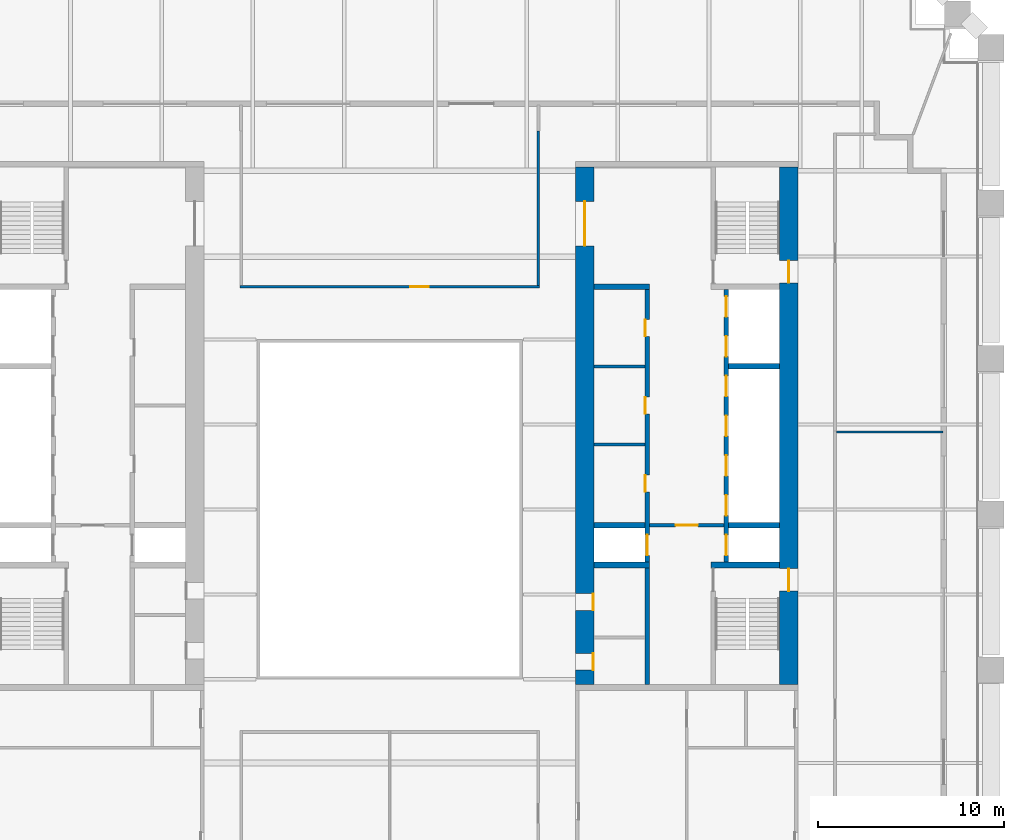
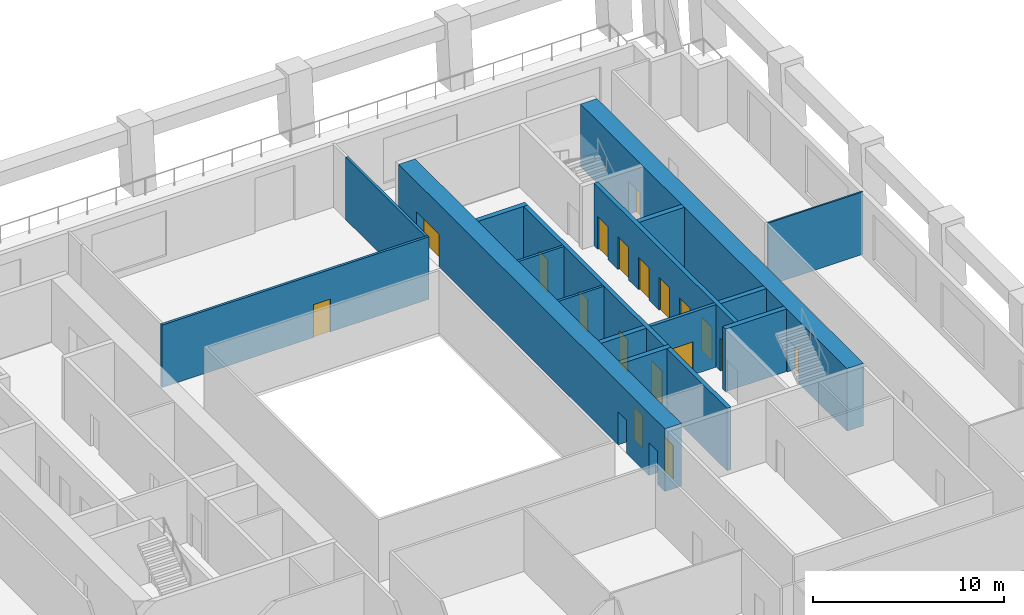
# One storey, part 6 of 8: 18 doors, 16 walls, 18 openings.
"""IFC4 building model written with IfcOpenShell, lengths in metres."""

import ifcopenshell
import ifcopenshell.guid

model = None  # the IFC model being written
_history = None  # IfcOwnerHistory: only IFC2X3 demands one
_inside = {}  # id of a spatial element -> (the spatial element, [elements in it])
_under = {}  # id of a project, library or spatial element -> (it, [spatial elements below it])
_declared = {}  # id of a project -> (the project, [libraries it declares])
_typed = {}  # id of a type object -> (the type object, [elements of that type])
_made_of = {}  # id of a material, layer set ... -> (it, [elements and type objects made of it])


def new_model(schema):
    """Start an empty IFC model of exactly this schema.

    Asked for "IFC4X3", IfcOpenShell would pick the latest addendum, in which some entities
    have other attributes; the version numbers below select the first issue.
    IFC2X3 requires an IfcOwnerHistory on every rooted entity: one is made here for all.
    """
    global model, _history
    if schema == "IFC4X3":
        model = ifcopenshell.file(schema_version=(4, 3, 0, 0))
    else:
        model = ifcopenshell.file(schema=schema)
    _inside.clear()
    _under.clear()
    _declared.clear()
    _typed.clear()
    _made_of.clear()
    _history = None
    if model.schema == "IFC2X3":
        org = make("IfcOrganization", Name="unknown")
        user = make(
            "IfcPersonAndOrganization",
            ThePerson=make("IfcPerson", FamilyName="unknown"),
            TheOrganization=org,
        )
        app = make(
            "IfcApplication",
            ApplicationDeveloper=org,
            Version="unknown",
            ApplicationFullName="unknown",
            ApplicationIdentifier="unknown",
        )
        _history = make(
            "IfcOwnerHistory",
            OwningUser=user,
            OwningApplication=app,
            ChangeAction="ADDED",
            CreationDate=0,
        )
    return model


def make(cls, **values):
    """One entity of the class cls with the attributes given. An attribute that is None is left unset."""
    return model.create_entity(
        cls, **{name: value for name, value in values.items() if value is not None}
    )


def rooted(cls, **values):
    """An entity with a GlobalId (a new one), such as an element, a storey or a relation."""
    return make(cls, GlobalId=ifcopenshell.guid.new(), OwnerHistory=_history, **values)


def si_unit(unit_type, name, prefix=None):
    """IfcSIUnit, for example si_unit("LENGTHUNIT", "METRE", prefix="MILLI")."""
    return make("IfcSIUnit", UnitType=unit_type, Prefix=prefix, Name=name)


def assignment(units):
    """IfcUnitAssignment: the units of a project."""
    return None if units is None else make("IfcUnitAssignment", Units=units)


def point(xyz):
    """IfcCartesianPoint."""
    return None if xyz is None else make("IfcCartesianPoint", Coordinates=xyz)


def direction(xyz):
    """IfcDirection."""
    return None if xyz is None else make("IfcDirection", DirectionRatios=xyz)


def frame(location, z_axis=None, x_axis=None):
    """IfcAxis2Placement3D, a coordinate frame: its origin and axes. An axis left out is left unset."""
    return make(
        "IfcAxis2Placement3D",
        Location=point(location),
        Axis=direction(z_axis),
        RefDirection=direction(x_axis),
    )


def frame_2d(location, x_axis=None):
    """IfcAxis2Placement2D, a coordinate frame in the plane: its origin and x axis."""
    return make(
        "IfcAxis2Placement2D", Location=point(location), RefDirection=direction(x_axis)
    )


def origin():
    """The frame at (0, 0, 0) with its axes left unset."""
    return frame((0.0, 0.0, 0.0))


def place(relative_to, where):
    """IfcLocalPlacement: puts the frame where relative to a parent placement (None: the world)."""
    return make(
        "IfcLocalPlacement", PlacementRelTo=relative_to, RelativePlacement=where
    )


def context(
    kind, dimensions, precision=None, world=None, true_north=None, identifier=None
):
    """IfcGeometricRepresentationContext, for example the 3D "Model" context."""
    return make(
        "IfcGeometricRepresentationContext",
        ContextIdentifier=identifier,
        ContextType=kind,
        CoordinateSpaceDimension=dimensions,
        Precision=precision,
        WorldCoordinateSystem=world,
        TrueNorth=true_north,
    )


def subcontext(parent, identifier, kind, view, scale=None):
    """IfcGeometricRepresentationSubContext, for example "Body" below "Model"."""
    return make(
        "IfcGeometricRepresentationSubContext",
        ContextIdentifier=identifier,
        ContextType=kind,
        ParentContext=parent,
        TargetScale=scale,
        TargetView=view,
    )


def project(units=None, contexts=None):
    """IfcProject with its units and contexts."""
    return rooted(
        "IfcProject",
        Name="project",
        RepresentationContexts=contexts,
        UnitsInContext=assignment(units),
    )


def spatial(cls, under=None, at=None, **own):
    """A site, building, storey or space (cls), placed at a placement, below another one or the project."""
    s = rooted(cls, ObjectPlacement=at, **own)
    if under is not None:
        _under.setdefault(under.id(), (under, []))[1].append(s)
    return s


def profile(cls, at=None, kind="AREA", **sizes):
    """A parametric profile (cls). Its sizes go by their IFC names, for example OverallWidth=200.0."""
    return make(cls, ProfileType=kind, Position=at, **sizes)


def rectangle(**sizes):
    """IfcRectangleProfileDef."""
    return profile("IfcRectangleProfileDef", **sizes)


def extrude(swept, where, along, depth):
    """IfcExtrudedAreaSolid: the profile swept, set in the frame where, extruded along a direction by depth."""
    return make(
        "IfcExtrudedAreaSolid",
        SweptArea=swept,
        Position=where,
        ExtrudedDirection=direction(along),
        Depth=depth,
    )


def shape(context_of_items, identifier, shape_type, items):
    """IfcShapeRepresentation: the items that make up one representation, for example the "Body"."""
    return make(
        "IfcShapeRepresentation",
        ContextOfItems=context_of_items,
        RepresentationIdentifier=identifier,
        RepresentationType=shape_type,
        Items=items,
    )


def material(Name=None, Category=None):
    """IfcMaterial."""
    return make("IfcMaterial", Name=Name, Category=Category)


def layer(
    of_material, thickness, ventilated=None, Name=None, Category=None, Priority=None
):
    """IfcMaterialLayer: one layer of a wall or slab, of a material (None: an air gap)."""
    return make(
        "IfcMaterialLayer",
        Material=of_material,
        LayerThickness=thickness,
        IsVentilated=ventilated,
        Name=Name,
        Category=Category,
        Priority=Priority,
    )


def layer_set(layers, Name=None):
    """IfcMaterialLayerSet."""
    return make("IfcMaterialLayerSet", MaterialLayers=layers, LayerSetName=Name)


def made_of(thing, what):
    """Note that an element or type object is made of a material, layer set ...; save() writes the relation."""
    if what is not None:
        _made_of.setdefault(what.id(), (what, []))[1].append(thing)
    return thing


def type_object(cls, material=None, **own):
    """A type object (cls), such as IfcWallType, which elements share."""
    return made_of(rooted(cls, **own), material)


def element(
    cls,
    number,
    at=None,
    inside=None,
    cuts=None,
    type_object=None,
    material=None,
    context=None,
    identifier="Body",
    shape_type=None,
    held_by="IfcProductDefinitionShape",
    body=None,
    shapes=None,
    **own,
):
    """One element of the class cls, such as IfcWall. Its Tag is "e" and its number.

    at: its placement. inside: the storey or other place that contains it. cuts: it is an
    opening in that element (IfcRelVoidsElement). A single representation is given by context,
    identifier, shape_type and body (its items); several are given by shapes. held_by: the class
    of the entity that holds the representations. save() writes the other relations.
    """
    e = rooted(cls, Tag="e%d" % number, ObjectPlacement=at, **own)
    if body is not None:
        shapes = [shape(context, identifier, shape_type, body)]
    if shapes is not None:
        e.Representation = make(held_by, Representations=shapes)
    if inside is not None:
        _inside.setdefault(inside.id(), (inside, []))[1].append(e)
    if cuts is not None:
        rooted(
            "IfcRelVoidsElement", RelatingBuildingElement=cuts, RelatedOpeningElement=e
        )
    if type_object is not None:
        _typed.setdefault(type_object.id(), (type_object, []))[1].append(e)
    return made_of(e, material)


def fill(opening, filler):
    """IfcRelFillsElement: the door or window that sits in an opening."""
    return rooted(
        "IfcRelFillsElement",
        RelatingOpeningElement=opening,
        RelatedBuildingElement=filler,
    )


def aggregate(whole, parts):
    """IfcRelAggregates: a whole, such as a stair, and the parts it consists of."""
    return rooted("IfcRelAggregates", RelatingObject=whole, RelatedObjects=parts)


def save(model, path):
    """Write the relations noted so far, then the file.

    IfcRelAggregates (storeys below a building ...), IfcRelContainedInSpatialStructure (elements
    in a storey), IfcRelDefinesByType, IfcRelAssociatesMaterial and IfcRelDeclares: one each for
    every whole, place, type object, material and project.
    """
    for whole, parts in _under.values():
        aggregate(whole, parts)
    for where, things in _inside.values():
        rooted(
            "IfcRelContainedInSpatialStructure",
            RelatedElements=things,
            RelatingStructure=where,
        )
    for kind, things in _typed.values():
        rooted("IfcRelDefinesByType", RelatedObjects=things, RelatingType=kind)
    for what, things in _made_of.values():
        rooted("IfcRelAssociatesMaterial", RelatedObjects=things, RelatingMaterial=what)
    for by, libraries in _declared.values():
        rooted("IfcRelDeclares", RelatingContext=by, RelatedDefinitions=libraries)
    model.write(path)


model = new_model("IFC4")

# Units and contexts
model_context = context("Model", 3, precision=1e-05, world=origin(), true_north=direction((0.0, 1.0)))
body_context = subcontext(model_context, "Body", "Model", "MODEL_VIEW")
ifc_project = project(units=[si_unit("LENGTHUNIT", "METRE"), si_unit("AREAUNIT", "SQUARE_METRE"), si_unit("VOLUMEUNIT", "CUBIC_METRE"), si_unit("PLANEANGLEUNIT", "RADIAN"), si_unit("MASSUNIT", "GRAM", prefix="KILO")], contexts=[model_context])

# Site, building, storey
site_placement = place(None, origin())
site = spatial("IfcSite", under=ifc_project, at=site_placement, CompositionType="ELEMENT")
building_placement = place(site_placement, origin())
building = spatial("IfcBuilding", under=site, at=building_placement, Name="Ogive Exchange Tower", CompositionType="ELEMENT")
storey_placement = place(building_placement, frame((0.0, 0.0, 77.39990234375)))
storey = spatial("IfcBuildingStorey", under=building, at=storey_placement, Name="L16", CompositionType="ELEMENT", Elevation=77.39990234375)

# Walls
ifc_material_1 = material(Name="Gypsum board partition")
ifc_layer_1 = layer(ifc_material_1, 0.14990234375)
ifc_layer_set_1 = layer_set([ifc_layer_1], Name="Core room partition 150 gypsum")
wall_type_1 = type_object("IfcWallType", Name="Core room partition 150 gypsum", PredefinedType="PARTITIONING", material=ifc_layer_set_1)
for number, where, z_axis, x_axis, name in (
    (1, (11.0, 10.5, 0.0), (0.0, 0.0, 1.0), (1.0, 0.0, 0.0), "E row B bay partition 1-1"),
    (2, (11.0, 14.699951171875, 0.0), (0.0, 0.0, 1.0), (1.0, 0.0, 0.0), "E row B bay partition 1-2"),
):
    element("IfcWall", number, at=place(storey_placement, frame(where, z_axis=z_axis, x_axis=x_axis)), inside=storey, type_object=wall_type_1, Name=name, PredefinedType="PARTITIONING", context=body_context, shape_type="SweptSolid", body=[
        extrude(rectangle(XDim=2.75, YDim=0.14990234375, at=frame_2d((1.375, 0.0))), origin(), (0.0, 0.0, 1.0), 4.0),
    ])
ifc_layer_2 = layer(ifc_material_1, 0.300048828125)
ifc_layer_set_2 = layer_set([ifc_layer_2], Name="Core room partition 300 gypsum")
wall_type_2 = type_object("IfcWallType", Name="Core room partition 300 gypsum", PredefinedType="PARTITIONING", material=ifc_layer_set_2)
wall_1_placement = place(storey_placement, frame((11.0, 19.0, 0.0), z_axis=(0.0, 0.0, 1.0), x_axis=(1.0, 0.0, 0.0)))
element("IfcWall", 3, at=wall_1_placement, inside=storey, type_object=wall_type_2, Name="E row B room end wall 7", PredefinedType="PARTITIONING", context=body_context, shape_type="SweptSolid", body=[
    extrude(rectangle(XDim=3.0, YDim=0.300048828125, at=frame_2d((1.5, 0.0))), origin(), (0.0, 0.0, 1.0), 4.0),
])

# Wall, opening, door
ifc_material_2 = material(Name="Fire partition EI 60 150")
ifc_layer_3 = layer(ifc_material_2, 0.14990234375)
ifc_layer_set_3 = layer_set([ifc_layer_3], Name="Fire partition EI 60 150")
wall_type_3 = type_object("IfcWallType", Name="Fire partition EI 60 150", PredefinedType="PARTITIONING", material=ifc_layer_set_3)
wall_2_placement = place(storey_placement, frame((-8.074951171875, 19.0, 0.0), z_axis=(0.0, 0.0, 1.0), x_axis=(1.0, 0.0, 0.0)))
wall_2 = element("IfcWall", 4, at=wall_2_placement, inside=storey, type_object=wall_type_3, Name="L16-PWL-013", PredefinedType="PARTITIONING", context=body_context, shape_type="SweptSolid", body=[
    extrude(rectangle(XDim=16.14990234375, YDim=0.14990234375, at=frame_2d((8.074951171875, 0.0))), origin(), (0.0, 0.0, 1.0), 4.0),
])
opening_1_placement = place(wall_2_placement, frame((9.175048828125, 0.0, 0.0)))
opening_1 = element("IfcOpeningElement", 5, at=opening_1_placement, cuts=wall_2, Name="Opening L16-I09", PredefinedType="OPENING", context=body_context, shape_type="SweptSolid", body=[
    extrude(rectangle(XDim=1.0, YDim=2.10009765625, at=frame_2d((0.5, 1.050048828125))), frame((0.0, 0.0849609375, 0.0), z_axis=(0.0, -1.0, 0.0), x_axis=(1.0, 0.0, 0.0)), (0.0, 0.0, 1.0), 0.169921875),
])
ifc_material_3 = material(Name="Fire door FD 30S 1000 x 2100")
door_type_1 = type_object("IfcDoorType", Name="Fire door FD 30S 1000 x 2100", OperationType="NOTDEFINED", PredefinedType="DOOR", material=ifc_material_3)
door_1_placement = place(opening_1_placement, origin())
door_1 = element("IfcDoor", 6, at=door_1_placement, inside=storey, type_object=door_type_1, Name="L16-IDR-009", ObjectType="DT3", OperationType="SINGLE_SWING_RIGHT", OverallHeight=2.10009765625, OverallWidth=1.0, PredefinedType="DOOR", context=body_context, shape_type="SweptSolid", body=[
    extrude(rectangle(XDim=1.0, YDim=2.10009765625, at=frame_2d((0.5, 1.050048828125))), frame((0.0, 0.02490234375, 0.0), z_axis=(0.0, -1.0, 0.0), x_axis=(1.0, 0.0, 0.0)), (0.0, 0.0, 1.0), 0.050048828125),
])
fill(opening_1, door_1)

# Walls
wall_3_placement = place(storey_placement, frame((8.0, 19.074951171875, 0.0), z_axis=(0.0, 0.0, 1.0), x_axis=(0.0, 1.0, 0.0)))
element("IfcWall", 7, at=wall_3_placement, inside=storey, type_object=wall_type_3, Name="L16-PWL-024", PredefinedType="PARTITIONING", context=body_context, shape_type="SweptSolid", body=[
    extrude(rectangle(XDim=8.324951171875, YDim=0.14990234375, at=frame_2d((4.16259765625, 0.0))), origin(), (0.0, 0.0, 1.0), 4.0),
])
ifc_material_4 = material(Name="Partition 100 gypsum")
ifc_layer_4 = layer(ifc_material_4, 0.10009765625)
ifc_layer_set_4 = layer_set([ifc_layer_4], Name="Partition 100 gypsum")
wall_type_4 = type_object("IfcWallType", Name="Partition 100 gypsum", PredefinedType="PARTITIONING", material=ifc_layer_set_4)
wall_4_placement = place(storey_placement, frame((24.074951171875, 11.169921875, 0.0), z_axis=(0.0, 0.0, 1.0), x_axis=(1.0, 0.0, 0.0)))
element("IfcWall", 8, at=wall_4_placement, inside=storey, type_object=wall_type_4, Name="L16-PWL-034", PredefinedType="PARTITIONING", context=body_context, shape_type="SweptSolid", body=[
    extrude(rectangle(XDim=5.72509765625, YDim=0.10009765625, at=frame_2d((2.862548828125, 0.0))), origin(), (0.0, 0.0, 1.0), 4.0),
])

# Wall, openings, doors
ifc_material_5 = material(Name="Concrete C70/85", Category="concrete")
ifc_layer_5 = layer(ifc_material_5, 1.0)
ifc_layer_set_5 = layer_set([ifc_layer_5], Name="RC core wall 1000 C70/85")
wall_type_5 = type_object("IfcWallType", Name="RC core wall 1000 C70/85", PredefinedType="SHEAR", material=ifc_layer_set_5)
wall_5_placement = place(storey_placement, frame((21.5, -2.449951171875, 0.0), z_axis=(0.0, 0.0, 1.0), x_axis=(0.0, 1.0, 0.0)))
wall_5 = element("IfcWall", 9, at=wall_5_placement, inside=storey, type_object=wall_type_5, Name="E outer wall", PredefinedType="SHEAR", context=body_context, shape_type="SweptSolid", body=[
    extrude(rectangle(XDim=27.89990234375, YDim=1.0, at=frame_2d((13.949951171875, 0.0))), origin(), (0.0, 0.0, 1.0), 4.0),
])
opening_2_placement = place(wall_5_placement, frame((5.050048828125, 0.0, 0.0)))
opening_2 = element("IfcOpeningElement", 10, at=opening_2_placement, cuts=wall_5, Name="Opening L16-C36", PredefinedType="OPENING", context=body_context, shape_type="SweptSolid", body=[
    extrude(rectangle(XDim=1.199951171875, YDim=2.10009765625, at=frame_2d((0.60009765625, 1.050048828125))), frame((0.0, 0.510009765625, 0.0), z_axis=(0.0, -1.0, 0.0), x_axis=(1.0, 0.0, 0.0)), (0.0, 0.0, 1.0), 1.02001953125),
])
opening_3_placement = place(wall_5_placement, frame((21.64990234375, 0.0, 0.0)))
opening_3 = element("IfcOpeningElement", 11, at=opening_3_placement, cuts=wall_5, Name="Opening L16-C38", PredefinedType="OPENING", context=body_context, shape_type="SweptSolid", body=[
    extrude(rectangle(XDim=1.199951171875, YDim=2.10009765625, at=frame_2d((0.60009765625, 1.050048828125))), frame((0.0, 0.510009765625, 0.0), z_axis=(0.0, -1.0, 0.0), x_axis=(1.0, 0.0, 0.0)), (0.0, 0.0, 1.0), 1.02001953125),
])
ifc_material_6 = material(Name="Steel fire door", Category="steel")
door_type_2 = type_object("IfcDoorType", Name="Stair door FD90 1200 x 2100", OperationType="NOTDEFINED", PredefinedType="DOOR", material=ifc_material_6)
door_2_placement = place(opening_2_placement, origin())
door_2 = element("IfcDoor", 12, at=door_2_placement, inside=storey, type_object=door_type_2, Name="Stair door", ObjectType="CD5", OperationType="SINGLE_SWING_LEFT", OverallHeight=2.10009765625, OverallWidth=1.199951171875, PredefinedType="DOOR", context=body_context, shape_type="SweptSolid", body=[
    extrude(rectangle(XDim=1.199951171875, YDim=2.10009765625, at=frame_2d((0.60009765625, 1.050048828125))), frame((0.0, 0.02490234375, 0.0), z_axis=(0.0, -1.0, 0.0), x_axis=(1.0, 0.0, 0.0)), (0.0, 0.0, 1.0), 0.050048828125),
])
fill(opening_2, door_2)
door_3_placement = place(opening_3_placement, origin())
door_3 = element("IfcDoor", 13, at=door_3_placement, inside=storey, type_object=door_type_2, Name="Stair door", ObjectType="CD5", OperationType="SINGLE_SWING_RIGHT", OverallHeight=2.10009765625, OverallWidth=1.199951171875, PredefinedType="DOOR", context=body_context, shape_type="SweptSolid", body=[
    extrude(rectangle(XDim=1.199951171875, YDim=2.10009765625, at=frame_2d((0.60009765625, 1.050048828125))), frame((0.0, 0.02490234375, 0.0), z_axis=(0.0, -1.0, 0.0), x_axis=(1.0, 0.0, 0.0)), (0.0, 0.0, 1.0), 0.050048828125),
])
fill(opening_3, door_3)

wall_6_placement = place(storey_placement, frame((10.5, -2.449951171875, 0.0), z_axis=(0.0, 0.0, 1.0), x_axis=(0.0, 1.0, 0.0)))
wall_6 = element("IfcWall", 14, at=wall_6_placement, inside=storey, type_object=wall_type_5, Name="E inner wall", PredefinedType="SHEAR", context=body_context, shape_type="SweptSolid", body=[
    extrude(rectangle(XDim=27.89990234375, YDim=1.0, at=frame_2d((13.949951171875, 0.0))), origin(), (0.0, 0.0, 1.0), 4.0),
])
opening_4_placement = place(wall_6_placement, frame((23.64990234375, 0.0, 0.0)))
opening_4 = element("IfcOpeningElement", 15, at=opening_4_placement, cuts=wall_6, Name="Opening L16-C34", PredefinedType="OPENING", context=body_context, shape_type="SweptSolid", body=[
    extrude(rectangle(XDim=2.39990234375, YDim=2.10009765625, at=frame_2d((1.199951171875, 1.050048828125))), frame((0.0, 0.510009765625, 0.0), z_axis=(0.0, -1.0, 0.0), x_axis=(1.0, 0.0, 0.0)), (0.0, 0.0, 1.0), 1.02001953125),
])
opening_5_placement = place(wall_6_placement, frame((0.78759765625, 0.0, 0.0)))
opening_5 = element("IfcOpeningElement", 16, at=opening_5_placement, cuts=wall_6, Name="Opening L16-C39", PredefinedType="OPENING", context=body_context, shape_type="SweptSolid", body=[
    extrude(rectangle(XDim=0.89990234375, YDim=2.10009765625, at=frame_2d((0.449951171875, 1.050048828125))), frame((0.0, 0.510009765625, 0.0), z_axis=(0.0, -1.0, 0.0), x_axis=(1.0, 0.0, 0.0)), (0.0, 0.0, 1.0), 1.02001953125),
])
opening_6_placement = place(wall_6_placement, frame((4.012451171875, 0.0, 0.0)))
opening_6 = element("IfcOpeningElement", 17, at=opening_6_placement, cuts=wall_6, Name="Opening L16-C40", PredefinedType="OPENING", context=body_context, shape_type="SweptSolid", body=[
    extrude(rectangle(XDim=0.89990234375, YDim=2.10009765625, at=frame_2d((0.449951171875, 1.050048828125))), frame((0.0, 0.510009765625, 0.0), z_axis=(0.0, -1.0, 0.0), x_axis=(1.0, 0.0, 0.0)), (0.0, 0.0, 1.0), 1.02001953125),
])
ifc_material_7 = material(Name="Timber fire door", Category="wood")
door_type_3 = type_object("IfcDoorType", Name="Core room door FD30S 900 x 2100", OperationType="NOTDEFINED", PredefinedType="DOOR", material=ifc_material_7)
door_4_placement = place(opening_5_placement, frame((0.89990234375, -0.9501953125, 0.0), z_axis=(0.0, 0.0, 1.0), x_axis=(-1.0, 0.0, 0.0)))
door_4 = element("IfcDoor", 18, at=door_4_placement, inside=storey, type_object=door_type_3, Name="Core room door", ObjectType="CD6", OperationType="SINGLE_SWING_RIGHT", OverallHeight=2.10009765625, OverallWidth=0.89990234375, PredefinedType="DOOR", context=body_context, shape_type="SweptSolid", body=[
    extrude(rectangle(XDim=0.89990234375, YDim=2.10009765625, at=frame_2d((0.449951171875, 1.050048828125))), frame((0.0, -0.4501953125, 0.0), z_axis=(0.0, -1.0, 0.0), x_axis=(1.0, 0.0, 0.0)), (0.0, 0.0, 1.0), 0.050048828125),
])
fill(opening_5, door_4)
ifc_material_8 = material(Name="Glazed steel fire door", Category="steel")
door_type_4 = type_object("IfcDoorType", Name="Lift lobby double door FD60 2400 x 2100", OperationType="DOUBLE_DOOR_SINGLE_SWING", PredefinedType="DOOR", material=ifc_material_8)
door_5_placement = place(opening_4_placement, frame((2.39990234375, 0.0, 0.0), z_axis=(0.0, 0.0, 1.0), x_axis=(-1.0, 0.0, 0.0)))
door_5 = element("IfcDoor", 19, at=door_5_placement, inside=storey, type_object=door_type_4, Name="Lift lobby double door", ObjectType="CD4", OperationType="DOUBLE_DOOR_SINGLE_SWING", OverallHeight=2.10009765625, OverallWidth=2.39990234375, PredefinedType="DOOR", context=body_context, shape_type="SweptSolid", body=[
    extrude(rectangle(XDim=2.39990234375, YDim=2.10009765625, at=frame_2d((1.199951171875, 1.050048828125))), frame((0.0, 0.02490234375, 0.0), z_axis=(0.0, -1.0, 0.0), x_axis=(1.0, 0.0, 0.0)), (0.0, 0.0, 1.0), 0.050048828125),
])
fill(opening_4, door_5)
door_type_5 = type_object("IfcDoorType", Name="Riser door FD60 900 x 2100", OperationType="NOTDEFINED", PredefinedType="DOOR", material=ifc_material_6)
door_6_placement = place(opening_6_placement, frame((0.89990234375, -0.9501953125, 0.0), z_axis=(0.0, 0.0, 1.0), x_axis=(-1.0, 0.0, 0.0)))
door_6 = element("IfcDoor", 20, at=door_6_placement, inside=storey, type_object=door_type_5, Name="Riser door", ObjectType="CD2", OperationType="SINGLE_SWING_LEFT", OverallHeight=2.10009765625, OverallWidth=0.89990234375, PredefinedType="DOOR", context=body_context, shape_type="SweptSolid", body=[
    extrude(rectangle(XDim=0.89990234375, YDim=2.10009765625, at=frame_2d((0.449951171875, 1.050048828125))), frame((0.0, -0.4501953125, 0.0), z_axis=(0.0, -1.0, 0.0), x_axis=(1.0, 0.0, 0.0)), (0.0, 0.0, 1.0), 0.050048828125),
])
fill(opening_6, door_6)

# Wall, opening, door
ifc_layer_6 = layer(ifc_material_5, 0.199951171875)
ifc_layer_set_6 = layer_set([ifc_layer_6], Name="RC core wall 200 C70/85")
wall_type_6 = type_object("IfcWallType", Name="RC core wall 200 C70/85", PredefinedType="SHEAR", material=ifc_layer_set_6)
wall_7_placement = place(storey_placement, frame((14.0, 6.142822265625, 0.0), z_axis=(0.0, 0.0, 1.0), x_axis=(1.0, 0.0, 0.0)))
wall_7 = element("IfcWall", 21, at=wall_7_placement, inside=storey, type_object=wall_type_6, Name="E firefighting lobby wall", PredefinedType="SHEAR", context=body_context, shape_type="SweptSolid", body=[
    extrude(rectangle(XDim=4.0, YDim=0.199951171875, at=frame_2d((2.0, 0.0))), origin(), (0.0, 0.0, 1.0), 4.0),
])
opening_7_placement = place(wall_7_placement, frame((1.39990234375, 0.0, 0.0)))
opening_7 = element("IfcOpeningElement", 22, at=opening_7_placement, cuts=wall_7, Name="Opening L16-C33", PredefinedType="OPENING", context=body_context, shape_type="SweptSolid", body=[
    extrude(rectangle(XDim=1.199951171875, YDim=2.10009765625, at=frame_2d((0.60009765625, 1.050048828125))), frame((0.0, 0.10986328125, 0.0), z_axis=(0.0, -1.0, 0.0), x_axis=(1.0, 0.0, 0.0)), (0.0, 0.0, 1.0), 0.219970703125),
])
door_type_6 = type_object("IfcDoorType", Name="Firefighting lobby door FD60 1200 x 2100", OperationType="NOTDEFINED", PredefinedType="DOOR", material=ifc_material_6)
door_7_placement = place(opening_7_placement, frame((1.199951171875, 0.0, 0.0), z_axis=(0.0, 0.0, 1.0), x_axis=(-1.0, 0.0, 0.0)))
door_7 = element("IfcDoor", 23, at=door_7_placement, inside=storey, type_object=door_type_6, Name="Firefighting lobby door", ObjectType="CD3", OperationType="SINGLE_SWING_RIGHT", OverallHeight=2.10009765625, OverallWidth=1.199951171875, PredefinedType="DOOR", context=body_context, shape_type="SweptSolid", body=[
    extrude(rectangle(XDim=1.199951171875, YDim=2.10009765625, at=frame_2d((0.60009765625, 1.050048828125))), frame((0.0, 0.02490234375, 0.0), z_axis=(0.0, -1.0, 0.0), x_axis=(1.0, 0.0, 0.0)), (0.0, 0.0, 1.0), 0.050048828125),
])
fill(opening_7, door_7)

# Wall, openings, doors
ifc_layer_7 = layer(ifc_material_5, 0.25)
ifc_layer_set_7 = layer_set([ifc_layer_7], Name="RC core wall 250 C70/85")
wall_type_7 = type_object("IfcWallType", Name="RC core wall 250 C70/85", PredefinedType="SHEAR", material=ifc_layer_set_7)
wall_8_placement = place(storey_placement, frame((18.125, 4.14990234375, 0.0), z_axis=(0.0, 0.0, 1.0), x_axis=(0.0, 1.0, 0.0)))
wall_8 = element("IfcWall", 24, at=wall_8_placement, inside=storey, type_object=wall_type_7, Name="E row A front wall", PredefinedType="SHEAR", context=body_context, shape_type="SweptSolid", body=[
    extrude(rectangle(XDim=14.7001953125, YDim=0.25, at=frame_2d((7.35009765625, 0.0))), origin(), (0.0, 0.0, 1.0), 4.0),
])
opening_8_placement = place(wall_8_placement, frame((0.371337890625, 0.0, 0.0)))
opening_8 = element("IfcOpeningElement", 25, at=opening_8_placement, cuts=wall_8, Name="Opening L16-C22", PredefinedType="OPENING", context=body_context, shape_type="SweptSolid", body=[
    extrude(rectangle(XDim=1.10009765625, YDim=2.10009765625, at=frame_2d((0.550048828125, 1.050048828125))), frame((0.0, 0.135009765625, 0.0), z_axis=(0.0, -1.0, 0.0), x_axis=(1.0, 0.0, 0.0)), (0.0, 0.0, 1.0), 0.27001953125),
])
opening_9_placement = place(wall_8_placement, frame((2.514404296875, 0.0, 0.0)))
opening_9 = element("IfcOpeningElement", 26, at=opening_9_placement, cuts=wall_8, Name="Opening L16-C23", PredefinedType="OPENING", context=body_context, shape_type="SweptSolid", body=[
    extrude(rectangle(XDim=1.10009765625, YDim=2.10009765625, at=frame_2d((0.550048828125, 1.050048828125))), frame((0.0, 0.135009765625, 0.0), z_axis=(0.0, -1.0, 0.0), x_axis=(1.0, 0.0, 0.0)), (0.0, 0.0, 1.0), 0.27001953125),
])
opening_10_placement = place(wall_8_placement, frame((4.656982421875, 0.0, 0.0)))
opening_10 = element("IfcOpeningElement", 27, at=opening_10_placement, cuts=wall_8, Name="Opening L16-C24", PredefinedType="OPENING", context=body_context, shape_type="SweptSolid", body=[
    extrude(rectangle(XDim=1.10009765625, YDim=2.10009765625, at=frame_2d((0.550048828125, 1.050048828125))), frame((0.0, 0.135009765625, 0.0), z_axis=(0.0, -1.0, 0.0), x_axis=(1.0, 0.0, 0.0)), (0.0, 0.0, 1.0), 0.27001953125),
])
opening_11_placement = place(wall_8_placement, frame((6.800048828125, 0.0, 0.0)))
opening_11 = element("IfcOpeningElement", 28, at=opening_11_placement, cuts=wall_8, Name="Opening L16-C25", PredefinedType="OPENING", context=body_context, shape_type="SweptSolid", body=[
    extrude(rectangle(XDim=1.10009765625, YDim=2.10009765625, at=frame_2d((0.550048828125, 1.050048828125))), frame((0.0, 0.135009765625, 0.0), z_axis=(0.0, -1.0, 0.0), x_axis=(1.0, 0.0, 0.0)), (0.0, 0.0, 1.0), 0.27001953125),
])
opening_12_placement = place(wall_8_placement, frame((8.94287109375, 0.0, 0.0)))
opening_12 = element("IfcOpeningElement", 29, at=opening_12_placement, cuts=wall_8, Name="Opening L16-C26", PredefinedType="OPENING", context=body_context, shape_type="SweptSolid", body=[
    extrude(rectangle(XDim=1.10009765625, YDim=2.10009765625, at=frame_2d((0.550048828125, 1.050048828125))), frame((0.0, 0.135009765625, 0.0), z_axis=(0.0, -1.0, 0.0), x_axis=(1.0, 0.0, 0.0)), (0.0, 0.0, 1.0), 0.27001953125),
])
opening_13_placement = place(wall_8_placement, frame((11.085693359375, 0.0, 0.0)))
opening_13 = element("IfcOpeningElement", 30, at=opening_13_placement, cuts=wall_8, Name="Opening L16-C27", PredefinedType="OPENING", context=body_context, shape_type="SweptSolid", body=[
    extrude(rectangle(XDim=1.10009765625, YDim=2.10009765625, at=frame_2d((0.550048828125, 1.050048828125))), frame((0.0, 0.135009765625, 0.0), z_axis=(0.0, -1.0, 0.0), x_axis=(1.0, 0.0, 0.0)), (0.0, 0.0, 1.0), 0.27001953125),
])
opening_14_placement = place(wall_8_placement, frame((13.228515625, 0.0, 0.0)))
opening_14 = element("IfcOpeningElement", 31, at=opening_14_placement, cuts=wall_8, Name="Opening L16-C28", PredefinedType="OPENING", context=body_context, shape_type="SweptSolid", body=[
    extrude(rectangle(XDim=1.10009765625, YDim=2.10009765625, at=frame_2d((0.550048828125, 1.050048828125))), frame((0.0, 0.135009765625, 0.0), z_axis=(0.0, -1.0, 0.0), x_axis=(1.0, 0.0, 0.0)), (0.0, 0.0, 1.0), 0.27001953125),
])
ifc_material_9 = material(Name="Stainless steel", Category="steel")
door_type_7 = type_object("IfcDoorType", Name="Lift landing door FD90 1100 x 2100", OperationType="SLIDING_TO_LEFT", PredefinedType="DOOR", material=ifc_material_9)
door_8_placement = place(opening_8_placement, origin())
door_8 = element("IfcDoor", 32, at=door_8_placement, inside=storey, type_object=door_type_7, Name="Lift landing door FF2", ObjectType="LD", OperationType="SLIDING_TO_LEFT", OverallHeight=2.10009765625, OverallWidth=1.10009765625, PredefinedType="DOOR", context=body_context, shape_type="SweptSolid", body=[
    extrude(rectangle(XDim=1.10009765625, YDim=2.10009765625, at=frame_2d((0.550048828125, 1.050048828125))), frame((0.0, 0.02490234375, 0.0), z_axis=(0.0, -1.0, 0.0), x_axis=(1.0, 0.0, 0.0)), (0.0, 0.0, 1.0), 0.050048828125),
])
fill(opening_8, door_8)
door_9_placement = place(opening_9_placement, origin())
door_9 = element("IfcDoor", 33, at=door_9_placement, inside=storey, type_object=door_type_7, Name="Lift landing door E-L1", ObjectType="LD", OperationType="SLIDING_TO_LEFT", OverallHeight=2.10009765625, OverallWidth=1.10009765625, PredefinedType="DOOR", context=body_context, shape_type="SweptSolid", body=[
    extrude(rectangle(XDim=1.10009765625, YDim=2.10009765625, at=frame_2d((0.550048828125, 1.050048828125))), frame((0.0, 0.02490234375, 0.0), z_axis=(0.0, -1.0, 0.0), x_axis=(1.0, 0.0, 0.0)), (0.0, 0.0, 1.0), 0.050048828125),
])
fill(opening_9, door_9)
door_10_placement = place(opening_10_placement, origin())
door_10 = element("IfcDoor", 34, at=door_10_placement, inside=storey, type_object=door_type_7, Name="Lift landing door E-L2", ObjectType="LD", OperationType="SLIDING_TO_LEFT", OverallHeight=2.10009765625, OverallWidth=1.10009765625, PredefinedType="DOOR", context=body_context, shape_type="SweptSolid", body=[
    extrude(rectangle(XDim=1.10009765625, YDim=2.10009765625, at=frame_2d((0.550048828125, 1.050048828125))), frame((0.0, 0.02490234375, 0.0), z_axis=(0.0, -1.0, 0.0), x_axis=(1.0, 0.0, 0.0)), (0.0, 0.0, 1.0), 0.050048828125),
])
fill(opening_10, door_10)
door_11_placement = place(opening_11_placement, origin())
door_11 = element("IfcDoor", 35, at=door_11_placement, inside=storey, type_object=door_type_7, Name="Lift landing door E-L3", ObjectType="LD", OperationType="SLIDING_TO_LEFT", OverallHeight=2.10009765625, OverallWidth=1.10009765625, PredefinedType="DOOR", context=body_context, shape_type="SweptSolid", body=[
    extrude(rectangle(XDim=1.10009765625, YDim=2.10009765625, at=frame_2d((0.550048828125, 1.050048828125))), frame((0.0, 0.02490234375, 0.0), z_axis=(0.0, -1.0, 0.0), x_axis=(1.0, 0.0, 0.0)), (0.0, 0.0, 1.0), 0.050048828125),
])
fill(opening_11, door_11)
door_12_placement = place(opening_12_placement, origin())
door_12 = element("IfcDoor", 36, at=door_12_placement, inside=storey, type_object=door_type_7, Name="Lift landing door E-L4", ObjectType="LD", OperationType="SLIDING_TO_LEFT", OverallHeight=2.10009765625, OverallWidth=1.10009765625, PredefinedType="DOOR", context=body_context, shape_type="SweptSolid", body=[
    extrude(rectangle(XDim=1.10009765625, YDim=2.10009765625, at=frame_2d((0.550048828125, 1.050048828125))), frame((0.0, 0.02490234375, 0.0), z_axis=(0.0, -1.0, 0.0), x_axis=(1.0, 0.0, 0.0)), (0.0, 0.0, 1.0), 0.050048828125),
])
fill(opening_12, door_12)
door_13_placement = place(opening_13_placement, origin())
door_13 = element("IfcDoor", 37, at=door_13_placement, inside=storey, type_object=door_type_7, Name="Lift landing door E-SH1", ObjectType="LD", OperationType="SLIDING_TO_LEFT", OverallHeight=2.10009765625, OverallWidth=1.10009765625, PredefinedType="DOOR", context=body_context, shape_type="SweptSolid", body=[
    extrude(rectangle(XDim=1.10009765625, YDim=2.10009765625, at=frame_2d((0.550048828125, 1.050048828125))), frame((0.0, 0.02490234375, 0.0), z_axis=(0.0, -1.0, 0.0), x_axis=(1.0, 0.0, 0.0)), (0.0, 0.0, 1.0), 0.050048828125),
])
fill(opening_13, door_13)
door_14_placement = place(opening_14_placement, origin())
door_14 = element("IfcDoor", 38, at=door_14_placement, inside=storey, type_object=door_type_7, Name="Lift landing door E-SH2", ObjectType="LD", OperationType="SLIDING_TO_LEFT", OverallHeight=2.10009765625, OverallWidth=1.10009765625, PredefinedType="DOOR", context=body_context, shape_type="SweptSolid", body=[
    extrude(rectangle(XDim=1.10009765625, YDim=2.10009765625, at=frame_2d((0.550048828125, 1.050048828125))), frame((0.0, 0.02490234375, 0.0), z_axis=(0.0, -1.0, 0.0), x_axis=(1.0, 0.0, 0.0)), (0.0, 0.0, 1.0), 0.050048828125),
])
fill(opening_14, door_14)

wall_9_placement = place(storey_placement, frame((13.875, -2.449951171875, 0.0), z_axis=(0.0, 0.0, 1.0), x_axis=(0.0, 1.0, 0.0)))
wall_9 = element("IfcWall", 39, at=wall_9_placement, inside=storey, type_object=wall_type_7, Name="E row B front wall", PredefinedType="SHEAR", context=body_context, shape_type="SweptSolid", body=[
    extrude(rectangle(XDim=21.300048828125, YDim=0.25, at=frame_2d((10.64990234375, 0.0))), origin(), (0.0, 0.0, 1.0), 4.0),
])
opening_15_placement = place(wall_9_placement, frame((10.396484375, 0.0, 0.0)))
opening_15 = element("IfcOpeningElement", 40, at=opening_15_placement, cuts=wall_9, Name="Opening L16-C29", PredefinedType="OPENING", context=body_context, shape_type="SweptSolid", body=[
    extrude(rectangle(XDim=0.89990234375, YDim=2.10009765625, at=frame_2d((0.449951171875, 1.050048828125))), frame((0.0, 0.135009765625, 0.0), z_axis=(0.0, -1.0, 0.0), x_axis=(1.0, 0.0, 0.0)), (0.0, 0.0, 1.0), 0.27001953125),
])
opening_16_placement = place(wall_9_placement, frame((14.60009765625, 0.0, 0.0)))
opening_16 = element("IfcOpeningElement", 41, at=opening_16_placement, cuts=wall_9, Name="Opening L16-C30", PredefinedType="OPENING", context=body_context, shape_type="SweptSolid", body=[
    extrude(rectangle(XDim=0.89990234375, YDim=2.10009765625, at=frame_2d((0.449951171875, 1.050048828125))), frame((0.0, 0.135009765625, 0.0), z_axis=(0.0, -1.0, 0.0), x_axis=(1.0, 0.0, 0.0)), (0.0, 0.0, 1.0), 0.27001953125),
])
opening_17_placement = place(wall_9_placement, frame((18.77490234375, 0.0, 0.0)))
opening_17 = element("IfcOpeningElement", 42, at=opening_17_placement, cuts=wall_9, Name="Opening L16-C31", PredefinedType="OPENING", context=body_context, shape_type="SweptSolid", body=[
    extrude(rectangle(XDim=0.89990234375, YDim=2.10009765625, at=frame_2d((0.449951171875, 1.050048828125))), frame((0.0, 0.135009765625, 0.0), z_axis=(0.0, -1.0, 0.0), x_axis=(1.0, 0.0, 0.0)), (0.0, 0.0, 1.0), 0.27001953125),
])
opening_18_placement = place(wall_9_placement, frame((6.971435546875, 0.0, 0.0)))
opening_18 = element("IfcOpeningElement", 43, at=opening_18_placement, cuts=wall_9, Name="Opening L16-C32", PredefinedType="OPENING", context=body_context, shape_type="SweptSolid", body=[
    extrude(rectangle(XDim=1.10009765625, YDim=2.10009765625, at=frame_2d((0.550048828125, 1.050048828125))), frame((0.0, 0.135009765625, 0.0), z_axis=(0.0, -1.0, 0.0), x_axis=(1.0, 0.0, 0.0)), (0.0, 0.0, 1.0), 0.27001953125),
])
door_15_placement = place(opening_16_placement, origin())
door_15 = element("IfcDoor", 44, at=door_15_placement, inside=storey, type_object=door_type_3, Name="Core room door", ObjectType="CD6", OperationType="SINGLE_SWING_LEFT", OverallHeight=2.10009765625, OverallWidth=0.89990234375, PredefinedType="DOOR", context=body_context, shape_type="SweptSolid", body=[
    extrude(rectangle(XDim=0.89990234375, YDim=2.10009765625, at=frame_2d((0.449951171875, 1.050048828125))), frame((0.0, 0.125, 0.0), z_axis=(0.0, -1.0, 0.0), x_axis=(1.0, 0.0, 0.0)), (0.0, 0.0, 1.0), 0.050048828125),
])
fill(opening_16, door_15)
door_16_placement = place(opening_18_placement, origin())
door_16 = element("IfcDoor", 45, at=door_16_placement, inside=storey, type_object=door_type_7, Name="Lift landing door SV2", ObjectType="LD", OperationType="SLIDING_TO_LEFT", OverallHeight=2.10009765625, OverallWidth=1.10009765625, PredefinedType="DOOR", context=body_context, shape_type="SweptSolid", body=[
    extrude(rectangle(XDim=1.10009765625, YDim=2.10009765625, at=frame_2d((0.550048828125, 1.050048828125))), frame((0.0, 0.02490234375, 0.0), z_axis=(0.0, -1.0, 0.0), x_axis=(1.0, 0.0, 0.0)), (0.0, 0.0, 1.0), 0.050048828125),
])
fill(opening_18, door_16)
door_17_placement = place(opening_15_placement, origin())
door_17 = element("IfcDoor", 46, at=door_17_placement, inside=storey, type_object=door_type_5, Name="Riser door", ObjectType="CD2", OperationType="SINGLE_SWING_RIGHT", OverallHeight=2.10009765625, OverallWidth=0.89990234375, PredefinedType="DOOR", context=body_context, shape_type="SweptSolid", body=[
    extrude(rectangle(XDim=0.89990234375, YDim=2.10009765625, at=frame_2d((0.449951171875, 1.050048828125))), frame((0.0, 0.125, 0.0), z_axis=(0.0, -1.0, 0.0), x_axis=(1.0, 0.0, 0.0)), (0.0, 0.0, 1.0), 0.050048828125),
])
fill(opening_15, door_17)
door_18_placement = place(opening_17_placement, origin())
door_18 = element("IfcDoor", 47, at=door_18_placement, inside=storey, type_object=door_type_5, Name="Riser door", ObjectType="CD2", OperationType="SINGLE_SWING_LEFT", OverallHeight=2.10009765625, OverallWidth=0.89990234375, PredefinedType="DOOR", context=body_context, shape_type="SweptSolid", body=[
    extrude(rectangle(XDim=0.89990234375, YDim=2.10009765625, at=frame_2d((0.449951171875, 1.050048828125))), frame((0.0, 0.125, 0.0), z_axis=(0.0, -1.0, 0.0), x_axis=(1.0, 0.0, 0.0)), (0.0, 0.0, 1.0), 0.050048828125),
])
fill(opening_17, door_18)

# Walls
ifc_layer_8 = layer(ifc_material_5, 0.300048828125)
ifc_layer_set_8 = layer_set([ifc_layer_8], Name="RC core wall 300 C70/85")
wall_type_8 = type_object("IfcWallType", Name="RC core wall 300 C70/85", PredefinedType="SHEAR", material=ifc_layer_set_8)
wall_10_placement = place(storey_placement, frame((17.300048828125, 4.0, 0.0), z_axis=(0.0, 0.0, 1.0), x_axis=(1.0, 0.0, 0.0)))
element("IfcWall", 48, at=wall_10_placement, inside=storey, type_object=wall_type_8, Name="E stair S north wall", PredefinedType="SHEAR", context=body_context, shape_type="SweptSolid", body=[
    extrude(rectangle(XDim=3.699951171875, YDim=0.300048828125, at=frame_2d((1.85009765625, 0.0))), origin(), (0.0, 0.0, 1.0), 4.0),
])
for number, where, z_axis, x_axis, name in (
    (49, (18.25, 6.142822265625, 0.0), (0.0, 0.0, 1.0), (1.0, 0.0, 0.0), "E row A divider 1"),
    (50, (18.25, 14.71435546875, 0.0), (0.0, 0.0, 1.0), (1.0, 0.0, 0.0), "E row A divider 5"),
):
    element("IfcWall", number, at=place(storey_placement, frame(where, z_axis=z_axis, x_axis=x_axis)), inside=storey, type_object=wall_type_8, Name=name, PredefinedType="SHEAR", context=body_context, shape_type="SweptSolid", body=[
        extrude(rectangle(XDim=2.75, YDim=0.300048828125, at=frame_2d((1.375, 0.0))), origin(), (0.0, 0.0, 1.0), 4.0),
    ])
wall_11_placement = place(storey_placement, frame((11.0, 4.0, 0.0), z_axis=(0.0, 0.0, 1.0), x_axis=(1.0, 0.0, 0.0)))
element("IfcWall", 51, at=wall_11_placement, inside=storey, type_object=wall_type_8, Name="E row B divider 0", PredefinedType="SHEAR", context=body_context, shape_type="SweptSolid", body=[
    extrude(rectangle(XDim=3.0, YDim=0.300048828125, at=frame_2d((1.5, 0.0))), origin(), (0.0, 0.0, 1.0), 4.0),
])
wall_12_placement = place(storey_placement, frame((11.0, 6.142822265625, 0.0), z_axis=(0.0, 0.0, 1.0), x_axis=(1.0, 0.0, 0.0)))
element("IfcWall", 52, at=wall_12_placement, inside=storey, type_object=wall_type_8, Name="E row B divider 1", PredefinedType="SHEAR", context=body_context, shape_type="SweptSolid", body=[
    extrude(rectangle(XDim=2.75, YDim=0.300048828125, at=frame_2d((1.375, 0.0))), origin(), (0.0, 0.0, 1.0), 4.0),
])

save(model, "model.ifc")
